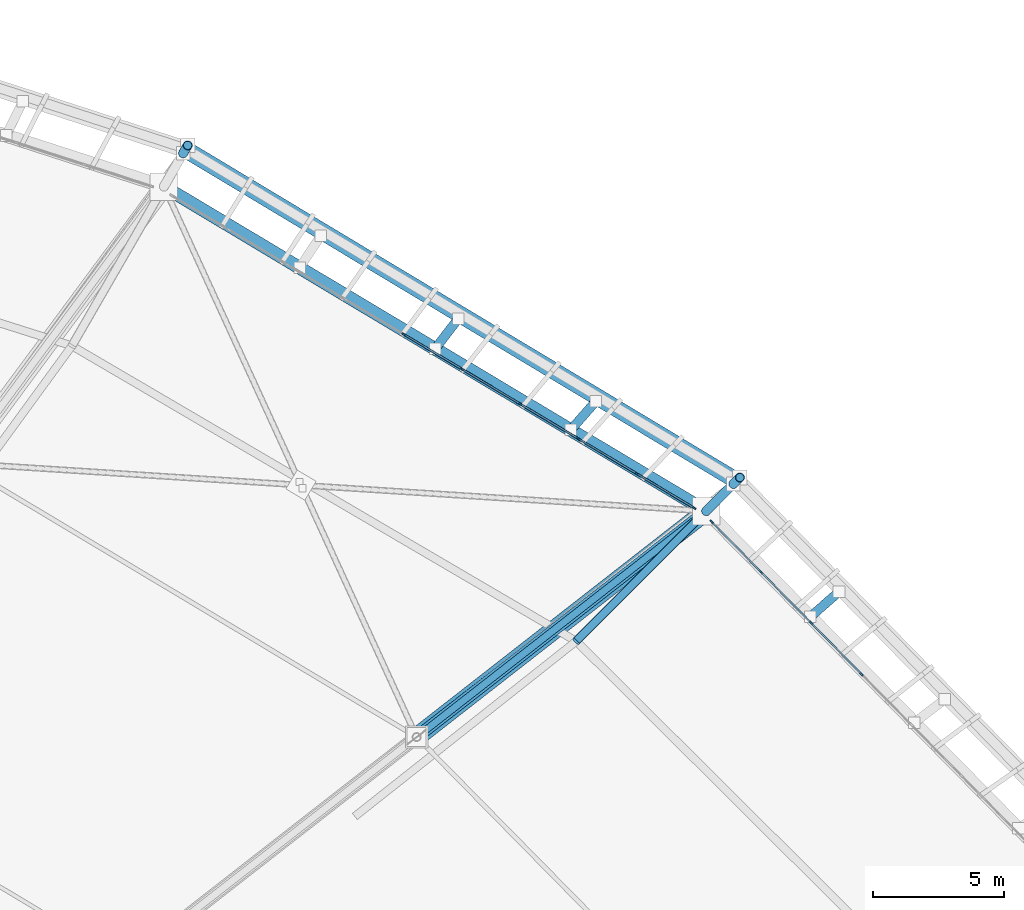
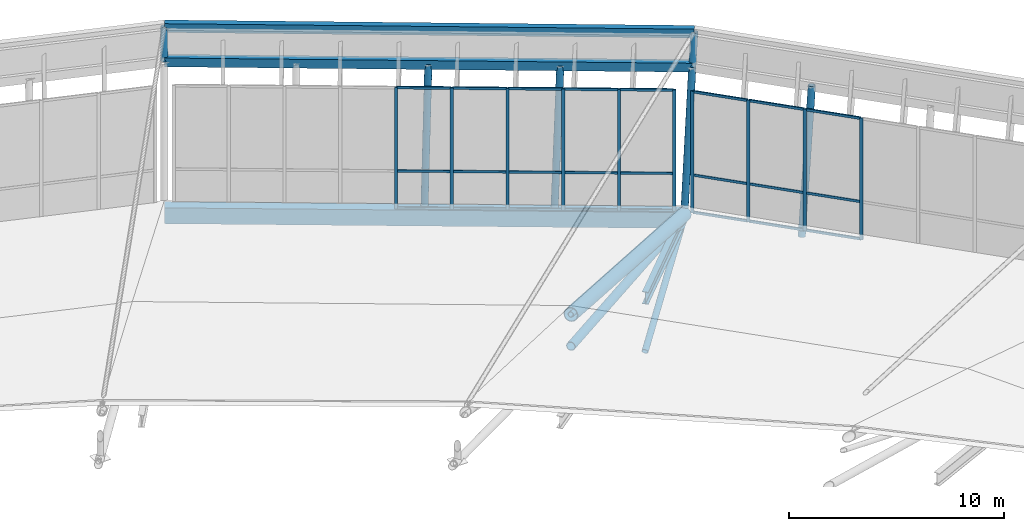
# One storey, part 77 of 115: 44 members, 4 beams, 2 elements without a shape of their own.
"""IFC4 building model written with IfcOpenShell, lengths in metres."""

from ifc_helpers import new_model, si_unit, direction, frame, origin, origin_2d, place, context, subcontext, project, spatial, rectangle, hollow_rectangle, hollow_circle, i_section, extrude, material, material_profile, profile_set, type_object, element, aggregate, save


model = new_model("IFC4")

# Units and contexts
model_context = context("Model", 3, precision=1e-05, world=origin(), true_north=direction((0.0, 1.0)))
body_context = subcontext(model_context, "Body", "Model", "MODEL_VIEW")
ifc_project = project(units=[si_unit("LENGTHUNIT", "METRE"), si_unit("AREAUNIT", "SQUARE_METRE"), si_unit("VOLUMEUNIT", "CUBIC_METRE"), si_unit("PLANEANGLEUNIT", "RADIAN"), si_unit("MASSUNIT", "GRAM", prefix="KILO")], contexts=[model_context])

# Site, building, storey
site_placement = place(None, origin())
site = spatial("IfcSite", under=ifc_project, at=site_placement, CompositionType="ELEMENT")
building_placement = place(site_placement, origin())
building = spatial("IfcBuilding", under=site, at=building_placement, Name="Zlatoyarsky Gate Stadium", CompositionType="ELEMENT")
storey_placement = place(building_placement, frame((0.0, 0.0, 31.800048828125)))
storey = spatial("IfcBuildingStorey", under=building, at=storey_placement, Name="RF", CompositionType="ELEMENT", Elevation=31.800048828125)

# Curtain wall, members
ifc_material_1 = material(Name="Thermally broken anodised aluminium curtain wall", Category="aluminium")
curtain_wall_type = type_object("IfcCurtainWallType", Name="UNITISED SKYBOX RING GLAZING L05", PredefinedType="USERDEFINED", material=ifc_material_1)
curtain_wall_1_placement = place(storey_placement, origin())
curtain_wall_1 = element("IfcCurtainWall", 1, at=curtain_wall_1_placement, inside=storey, type_object=curtain_wall_type, Name="Curtain wall CW-RF-02", ObjectType="UNITISED GLAZING", PredefinedType="USERDEFINED")
ifc_material_2 = material(Name="Anodised aluminium 6063-T6", Category="aluminium")
ifc_material_profile_1 = material_profile(ifc_material_2, rectangle(XDim=0.06494140625, YDim=0.159912109375, at=origin_2d()), Name="ALU 65X160")
ifc_profile_set_1 = profile_set([ifc_material_profile_1], Name="Anodised aluminium 6063-T6")
member_type_1 = type_object("IfcMemberType", Name="ALUMINIUM MULLION 65X160", PredefinedType="MULLION", material=ifc_profile_set_1)
member_1_placement = place(storey_placement, frame((187.654052734375, 128.954345703125, 0.0), z_axis=(0.0, 0.0, 1.0), x_axis=(-0.712766053473, -0.701401848456, 0.0)))
member_1 = element("IfcMember", 2, at=member_1_placement, type_object=member_type_1, Name="CW-UG5 mullion 6", PredefinedType="MULLION", context=body_context, shape_type="SweptSolid", body=[
    extrude(rectangle(XDim=0.06494140625, YDim=0.159912109375, at=origin_2d()), origin(), (0.0, 0.0, 1.0), 6.89990234375),
])
member_2_placement = place(storey_placement, frame((185.739990234375, 130.899658203125, 0.0), z_axis=(0.0, 0.0, 1.0), x_axis=(-0.712766053473, -0.701401848456, 0.0)))
member_2 = element("IfcMember", 3, at=member_2_placement, type_object=member_type_1, Name="CW-UG5 mullion 7", PredefinedType="MULLION", context=body_context, shape_type="SweptSolid", body=[
    extrude(rectangle(XDim=0.06494140625, YDim=0.159912109375, at=origin_2d()), origin(), (0.0, 0.0, 1.0), 6.89990234375),
])
member_3_placement = place(storey_placement, frame((183.825927734375, 132.8447265625, 0.0), z_axis=(0.0, 0.0, 1.0), x_axis=(-0.712766053473, -0.701401848456, 0.0)))
member_3 = element("IfcMember", 4, at=member_3_placement, type_object=member_type_1, Name="CW-UG5 mullion 8", PredefinedType="MULLION", context=body_context, shape_type="SweptSolid", body=[
    extrude(rectangle(XDim=0.06494140625, YDim=0.159912109375, at=origin_2d()), origin(), (0.0, 0.0, 1.0), 6.89990234375),
])
member_4_placement = place(storey_placement, frame((181.9345703125, 134.7666015625, 0.0), z_axis=(0.0, 0.0, 1.0), x_axis=(-0.712766053473, -0.701401848456, 0.0)))
member_4 = element("IfcMember", 5, at=member_4_placement, type_object=member_type_1, Name="CW-UG5 mullion 9", PredefinedType="MULLION", context=body_context, shape_type="SweptSolid", body=[
    extrude(rectangle(XDim=0.06494140625, YDim=0.159912109375, at=origin_2d()), origin(), (0.0, 0.0, 1.0), 6.89990234375),
])

curtain_wall_2_placement = place(storey_placement, origin())
curtain_wall_2 = element("IfcCurtainWall", 6, at=curtain_wall_2_placement, inside=storey, type_object=curtain_wall_type, Name="Curtain wall CW-RF-03", ObjectType="UNITISED GLAZING", PredefinedType="USERDEFINED")
member_5_placement = place(storey_placement, frame((181.260009765625, 135.296875, 0.0), z_axis=(0.0, 0.0, 1.0), x_axis=(-0.513435995817, -0.858127891517, 0.0)))
member_5 = element("IfcMember", 7, at=member_5_placement, type_object=member_type_1, Name="CW-UG5 mullion 1", PredefinedType="MULLION", context=body_context, shape_type="SweptSolid", body=[
    extrude(rectangle(XDim=0.06494140625, YDim=0.159912109375, at=origin_2d()), origin(), (0.0, 0.0, 1.0), 6.89990234375),
])
member_6_placement = place(storey_placement, frame((179.065673828125, 136.60986328125, 0.0), z_axis=(0.0, 0.0, 1.0), x_axis=(-0.513435995817, -0.858127891517, 0.0)))
member_6 = element("IfcMember", 8, at=member_6_placement, type_object=member_type_1, Name="CW-UG5 mullion 2", PredefinedType="MULLION", context=body_context, shape_type="SweptSolid", body=[
    extrude(rectangle(XDim=0.06494140625, YDim=0.159912109375, at=origin_2d()), origin(), (0.0, 0.0, 1.0), 6.89990234375),
])
member_7_placement = place(storey_placement, frame((176.84326171875, 137.939697265625, 0.0), z_axis=(0.0, 0.0, 1.0), x_axis=(-0.513435995817, -0.858127891517, 0.0)))
member_7 = element("IfcMember", 9, at=member_7_placement, type_object=member_type_1, Name="CW-UG5 mullion 3", PredefinedType="MULLION", context=body_context, shape_type="SweptSolid", body=[
    extrude(rectangle(XDim=0.06494140625, YDim=0.159912109375, at=origin_2d()), origin(), (0.0, 0.0, 1.0), 6.89990234375),
])
member_8_placement = place(storey_placement, frame((174.620849609375, 139.269287109375, 0.0), z_axis=(0.0, 0.0, 1.0), x_axis=(-0.513435995817, -0.858127891517, 0.0)))
member_8 = element("IfcMember", 10, at=member_8_placement, type_object=member_type_1, Name="CW-UG5 mullion 4", PredefinedType="MULLION", context=body_context, shape_type="SweptSolid", body=[
    extrude(rectangle(XDim=0.06494140625, YDim=0.159912109375, at=origin_2d()), origin(), (0.0, 0.0, 1.0), 6.89990234375),
])
member_9_placement = place(storey_placement, frame((172.398681640625, 140.598876953125, 0.0), z_axis=(0.0, 0.0, 1.0), x_axis=(-0.513435995817, -0.858127891517, 0.0)))
member_9 = element("IfcMember", 11, at=member_9_placement, type_object=member_type_1, Name="CW-UG5 mullion 5", PredefinedType="MULLION", context=body_context, shape_type="SweptSolid", body=[
    extrude(rectangle(XDim=0.06494140625, YDim=0.159912109375, at=origin_2d()), origin(), (0.0, 0.0, 1.0), 6.89990234375),
])
member_10_placement = place(storey_placement, frame((170.17626953125, 141.928466796875, 0.0), z_axis=(0.0, 0.0, 1.0), x_axis=(-0.513435995817, -0.858127891517, 0.0)))
member_10 = element("IfcMember", 12, at=member_10_placement, type_object=member_type_1, Name="CW-UG5 mullion 6", PredefinedType="MULLION", context=body_context, shape_type="SweptSolid", body=[
    extrude(rectangle(XDim=0.06494140625, YDim=0.159912109375, at=origin_2d()), origin(), (0.0, 0.0, 1.0), 6.89990234375),
])

# Member
ifc_material_profile_2 = material_profile(ifc_material_2, rectangle(XDim=0.06494140625, YDim=0.139892578125, at=origin_2d()), Name="ALU 65X140")
ifc_profile_set_2 = profile_set([ifc_material_profile_2], Name="Anodised aluminium 6063-T6")
member_type_2 = type_object("IfcMemberType", Name="ALUMINIUM TRANSOM 65X140", PredefinedType="USERDEFINED", material=ifc_profile_set_2)
member_11_placement = place(storey_placement, frame((187.63134765625, 128.9775390625, 0.032470703125), z_axis=(-0.701402357666, 0.712765552381, 0.0), x_axis=(-0.712765552381, -0.701402357666, 0.0)))
member_11 = element("IfcMember", 13, at=member_11_placement, type_object=member_type_2, Name="CW-UG5 transom 6.1", ObjectType="TRANSOM", PredefinedType="USERDEFINED", context=body_context, shape_type="SweptSolid", body=[
    extrude(rectangle(XDim=0.06494140625, YDim=0.139892578125, at=origin_2d()), origin(), (0.0, 0.0, 1.0), 2.6640625),
])

member_12_placement = place(storey_placement, frame((187.63134765625, 128.9775390625, 2.14990234375), z_axis=(-0.701402357666, 0.712765552381, 0.0), x_axis=(-0.712765552381, -0.701402357666, 0.0)))
member_12 = element("IfcMember", 14, at=member_12_placement, type_object=member_type_2, Name="CW-UG5 transom 6.2", ObjectType="TRANSOM", PredefinedType="USERDEFINED", context=body_context, shape_type="SweptSolid", body=[
    extrude(rectangle(XDim=0.06494140625, YDim=0.139892578125, at=origin_2d()), origin(), (0.0, 0.0, 1.0), 2.6640625),
])

member_13_placement = place(storey_placement, frame((187.63134765625, 128.9775390625, 6.867431640625), z_axis=(-0.701402357666, 0.712765552381, 0.0), x_axis=(-0.712765552381, -0.701402357666, 0.0)))
member_13 = element("IfcMember", 15, at=member_13_placement, type_object=member_type_2, Name="CW-UG5 transom 6.3", ObjectType="TRANSOM", PredefinedType="USERDEFINED", context=body_context, shape_type="SweptSolid", body=[
    extrude(rectangle(XDim=0.06494140625, YDim=0.139892578125, at=origin_2d()), origin(), (0.0, 0.0, 1.0), 2.6640625),
])

member_14_placement = place(storey_placement, frame((185.71728515625, 130.9228515625, 0.032470703125), z_axis=(-0.701448172626, 0.712720464922, 0.0), x_axis=(-0.712720464922, -0.701448172626, 0.0)))
member_14 = element("IfcMember", 16, at=member_14_placement, type_object=member_type_2, Name="CW-UG5 transom 7.1", ObjectType="TRANSOM", PredefinedType="USERDEFINED", context=body_context, shape_type="SweptSolid", body=[
    extrude(rectangle(XDim=0.06494140625, YDim=0.139892578125, at=origin_2d()), origin(), (0.0, 0.0, 1.0), 2.6640625),
])

member_15_placement = place(storey_placement, frame((185.71728515625, 130.9228515625, 2.14990234375), z_axis=(-0.701448172626, 0.712720464922, 0.0), x_axis=(-0.712720464922, -0.701448172626, 0.0)))
member_15 = element("IfcMember", 17, at=member_15_placement, type_object=member_type_2, Name="CW-UG5 transom 7.2", ObjectType="TRANSOM", PredefinedType="USERDEFINED", context=body_context, shape_type="SweptSolid", body=[
    extrude(rectangle(XDim=0.06494140625, YDim=0.139892578125, at=origin_2d()), origin(), (0.0, 0.0, 1.0), 2.6640625),
])

member_16_placement = place(storey_placement, frame((185.71728515625, 130.9228515625, 6.867431640625), z_axis=(-0.701448172626, 0.712720464922, 0.0), x_axis=(-0.712720464922, -0.701448172626, 0.0)))
member_16 = element("IfcMember", 18, at=member_16_placement, type_object=member_type_2, Name="CW-UG5 transom 7.3", ObjectType="TRANSOM", PredefinedType="USERDEFINED", context=body_context, shape_type="SweptSolid", body=[
    extrude(rectangle(XDim=0.06494140625, YDim=0.139892578125, at=origin_2d()), origin(), (0.0, 0.0, 1.0), 2.6640625),
])

member_17_placement = place(storey_placement, frame((183.80322265625, 132.867919921875, 0.032470703125), z_axis=(-0.701471617556, 0.712697390036, 0.0), x_axis=(-0.712697390036, -0.701471617556, 0.0)))
member_17 = element("IfcMember", 19, at=member_17_placement, type_object=member_type_2, Name="CW-UG5 transom 8.1", ObjectType="TRANSOM", PredefinedType="USERDEFINED", context=body_context, shape_type="SweptSolid", body=[
    extrude(rectangle(XDim=0.06494140625, YDim=0.139892578125, at=origin_2d()), origin(), (0.0, 0.0, 1.0), 2.631591796875),
])

member_18_placement = place(storey_placement, frame((183.80322265625, 132.867919921875, 2.14990234375), z_axis=(-0.701471617556, 0.712697390036, 0.0), x_axis=(-0.712697390036, -0.701471617556, 0.0)))
member_18 = element("IfcMember", 20, at=member_18_placement, type_object=member_type_2, Name="CW-UG5 transom 8.2", ObjectType="TRANSOM", PredefinedType="USERDEFINED", context=body_context, shape_type="SweptSolid", body=[
    extrude(rectangle(XDim=0.06494140625, YDim=0.139892578125, at=origin_2d()), origin(), (0.0, 0.0, 1.0), 2.631591796875),
])

member_19_placement = place(storey_placement, frame((183.80322265625, 132.867919921875, 6.867431640625), z_axis=(-0.701471617556, 0.712697390036, 0.0), x_axis=(-0.712697390036, -0.701471617556, 0.0)))
member_19 = element("IfcMember", 21, at=member_19_placement, type_object=member_type_2, Name="CW-UG5 transom 8.3", ObjectType="TRANSOM", PredefinedType="USERDEFINED", context=body_context, shape_type="SweptSolid", body=[
    extrude(rectangle(XDim=0.06494140625, YDim=0.139892578125, at=origin_2d()), origin(), (0.0, 0.0, 1.0), 2.631591796875),
])

aggregate(curtain_wall_1, [member_1, member_2, member_3, member_4, member_11, member_12, member_13, member_14, member_15, member_16, member_17, member_18, member_19])

member_20_placement = place(storey_placement, frame((181.232177734375, 135.313720703125, 0.032470703125), z_axis=(-0.858140517971, 0.513414892087, 0.0), x_axis=(-0.513414892087, -0.858140517971, 0.0)))
member_20 = element("IfcMember", 22, at=member_20_placement, type_object=member_type_2, Name="CW-UG5 transom 1.1", ObjectType="TRANSOM", PredefinedType="USERDEFINED", context=body_context, shape_type="SweptSolid", body=[
    extrude(rectangle(XDim=0.06494140625, YDim=0.139892578125, at=origin_2d()), origin(), (0.0, 0.0, 1.0), 2.4921875),
])

member_21_placement = place(storey_placement, frame((181.232177734375, 135.313720703125, 2.14990234375), z_axis=(-0.858140517971, 0.513414892087, 0.0), x_axis=(-0.513414892087, -0.858140517971, 0.0)))
member_21 = element("IfcMember", 23, at=member_21_placement, type_object=member_type_2, Name="CW-UG5 transom 1.2", ObjectType="TRANSOM", PredefinedType="USERDEFINED", context=body_context, shape_type="SweptSolid", body=[
    extrude(rectangle(XDim=0.06494140625, YDim=0.139892578125, at=origin_2d()), origin(), (0.0, 0.0, 1.0), 2.4921875),
])

member_22_placement = place(storey_placement, frame((181.232177734375, 135.313720703125, 6.867431640625), z_axis=(-0.858140517971, 0.513414892087, 0.0), x_axis=(-0.513414892087, -0.858140517971, 0.0)))
member_22 = element("IfcMember", 24, at=member_22_placement, type_object=member_type_2, Name="CW-UG5 transom 1.3", ObjectType="TRANSOM", PredefinedType="USERDEFINED", context=body_context, shape_type="SweptSolid", body=[
    extrude(rectangle(XDim=0.06494140625, YDim=0.139892578125, at=origin_2d()), origin(), (0.0, 0.0, 1.0), 2.4921875),
])

member_23_placement = place(storey_placement, frame((179.03759765625, 136.626708984375, 0.032470703125), z_axis=(-0.858149243312, 0.51340030795, 0.0), x_axis=(-0.51340030795, -0.858149243312, 0.0)))
member_23 = element("IfcMember", 25, at=member_23_placement, type_object=member_type_2, Name="CW-UG5 transom 2.1", ObjectType="TRANSOM", PredefinedType="USERDEFINED", context=body_context, shape_type="SweptSolid", body=[
    extrude(rectangle(XDim=0.06494140625, YDim=0.139892578125, at=origin_2d()), origin(), (0.0, 0.0, 1.0), 2.524658203125),
])

member_24_placement = place(storey_placement, frame((179.03759765625, 136.626708984375, 2.14990234375), z_axis=(-0.858149243312, 0.51340030795, 0.0), x_axis=(-0.51340030795, -0.858149243312, 0.0)))
member_24 = element("IfcMember", 26, at=member_24_placement, type_object=member_type_2, Name="CW-UG5 transom 2.2", ObjectType="TRANSOM", PredefinedType="USERDEFINED", context=body_context, shape_type="SweptSolid", body=[
    extrude(rectangle(XDim=0.06494140625, YDim=0.139892578125, at=origin_2d()), origin(), (0.0, 0.0, 1.0), 2.524658203125),
])

member_25_placement = place(storey_placement, frame((179.03759765625, 136.626708984375, 6.867431640625), z_axis=(-0.858149243312, 0.51340030795, 0.0), x_axis=(-0.51340030795, -0.858149243312, 0.0)))
member_25 = element("IfcMember", 27, at=member_25_placement, type_object=member_type_2, Name="CW-UG5 transom 2.3", ObjectType="TRANSOM", PredefinedType="USERDEFINED", context=body_context, shape_type="SweptSolid", body=[
    extrude(rectangle(XDim=0.06494140625, YDim=0.139892578125, at=origin_2d()), origin(), (0.0, 0.0, 1.0), 2.524658203125),
])

member_26_placement = place(storey_placement, frame((176.8154296875, 137.956298828125, 0.032470703125), z_axis=(-0.858106637298, 0.513471517248, 0.0), x_axis=(-0.513471517248, -0.858106637298, 0.0)))
member_26 = element("IfcMember", 28, at=member_26_placement, type_object=member_type_2, Name="CW-UG5 transom 3.1", ObjectType="TRANSOM", PredefinedType="USERDEFINED", context=body_context, shape_type="SweptSolid", body=[
    extrude(rectangle(XDim=0.06494140625, YDim=0.139892578125, at=origin_2d()), origin(), (0.0, 0.0, 1.0), 2.524658203125),
])

member_27_placement = place(storey_placement, frame((176.8154296875, 137.956298828125, 2.14990234375), z_axis=(-0.858106637298, 0.513471517248, 0.0), x_axis=(-0.513471517248, -0.858106637298, 0.0)))
member_27 = element("IfcMember", 29, at=member_27_placement, type_object=member_type_2, Name="CW-UG5 transom 3.2", ObjectType="TRANSOM", PredefinedType="USERDEFINED", context=body_context, shape_type="SweptSolid", body=[
    extrude(rectangle(XDim=0.06494140625, YDim=0.139892578125, at=origin_2d()), origin(), (0.0, 0.0, 1.0), 2.524658203125),
])

member_28_placement = place(storey_placement, frame((176.8154296875, 137.956298828125, 6.867431640625), z_axis=(-0.858106637298, 0.513471517248, 0.0), x_axis=(-0.513471517248, -0.858106637298, 0.0)))
member_28 = element("IfcMember", 30, at=member_28_placement, type_object=member_type_2, Name="CW-UG5 transom 3.3", ObjectType="TRANSOM", PredefinedType="USERDEFINED", context=body_context, shape_type="SweptSolid", body=[
    extrude(rectangle(XDim=0.06494140625, YDim=0.139892578125, at=origin_2d()), origin(), (0.0, 0.0, 1.0), 2.524658203125),
])

member_29_placement = place(storey_placement, frame((174.593017578125, 139.285888671875, 0.032470703125), z_axis=(-0.858106637298, 0.513471517248, 0.0), x_axis=(-0.513471517248, -0.858106637298, 0.0)))
member_29 = element("IfcMember", 31, at=member_29_placement, type_object=member_type_2, Name="CW-UG5 transom 4.1", ObjectType="TRANSOM", PredefinedType="USERDEFINED", context=body_context, shape_type="SweptSolid", body=[
    extrude(rectangle(XDim=0.06494140625, YDim=0.139892578125, at=origin_2d()), origin(), (0.0, 0.0, 1.0), 2.524658203125),
])

member_30_placement = place(storey_placement, frame((174.593017578125, 139.285888671875, 2.14990234375), z_axis=(-0.858106637298, 0.513471517248, 0.0), x_axis=(-0.513471517248, -0.858106637298, 0.0)))
member_30 = element("IfcMember", 32, at=member_30_placement, type_object=member_type_2, Name="CW-UG5 transom 4.2", ObjectType="TRANSOM", PredefinedType="USERDEFINED", context=body_context, shape_type="SweptSolid", body=[
    extrude(rectangle(XDim=0.06494140625, YDim=0.139892578125, at=origin_2d()), origin(), (0.0, 0.0, 1.0), 2.524658203125),
])

member_31_placement = place(storey_placement, frame((174.593017578125, 139.285888671875, 6.867431640625), z_axis=(-0.858106637298, 0.513471517248, 0.0), x_axis=(-0.513471517248, -0.858106637298, 0.0)))
member_31 = element("IfcMember", 33, at=member_31_placement, type_object=member_type_2, Name="CW-UG5 transom 4.3", ObjectType="TRANSOM", PredefinedType="USERDEFINED", context=body_context, shape_type="SweptSolid", body=[
    extrude(rectangle(XDim=0.06494140625, YDim=0.139892578125, at=origin_2d()), origin(), (0.0, 0.0, 1.0), 2.524658203125),
])

member_32_placement = place(storey_placement, frame((172.370849609375, 140.61572265625, 0.032470703125), z_axis=(-0.858149243312, 0.51340030795, 0.0), x_axis=(-0.51340030795, -0.858149243312, 0.0)))
member_32 = element("IfcMember", 34, at=member_32_placement, type_object=member_type_2, Name="CW-UG5 transom 5.1", ObjectType="TRANSOM", PredefinedType="USERDEFINED", context=body_context, shape_type="SweptSolid", body=[
    extrude(rectangle(XDim=0.06494140625, YDim=0.139892578125, at=origin_2d()), origin(), (0.0, 0.0, 1.0), 2.524658203125),
])

member_33_placement = place(storey_placement, frame((172.370849609375, 140.61572265625, 2.14990234375), z_axis=(-0.858149243312, 0.51340030795, 0.0), x_axis=(-0.51340030795, -0.858149243312, 0.0)))
member_33 = element("IfcMember", 35, at=member_33_placement, type_object=member_type_2, Name="CW-UG5 transom 5.2", ObjectType="TRANSOM", PredefinedType="USERDEFINED", context=body_context, shape_type="SweptSolid", body=[
    extrude(rectangle(XDim=0.06494140625, YDim=0.139892578125, at=origin_2d()), origin(), (0.0, 0.0, 1.0), 2.524658203125),
])

member_34_placement = place(storey_placement, frame((172.370849609375, 140.61572265625, 6.867431640625), z_axis=(-0.858149243312, 0.51340030795, 0.0), x_axis=(-0.51340030795, -0.858149243312, 0.0)))
member_34 = element("IfcMember", 36, at=member_34_placement, type_object=member_type_2, Name="CW-UG5 transom 5.3", ObjectType="TRANSOM", PredefinedType="USERDEFINED", context=body_context, shape_type="SweptSolid", body=[
    extrude(rectangle(XDim=0.06494140625, YDim=0.139892578125, at=origin_2d()), origin(), (0.0, 0.0, 1.0), 2.524658203125),
])

aggregate(curtain_wall_2, [member_5, member_6, member_7, member_8, member_9, member_10, member_20, member_21, member_22, member_23, member_24, member_25, member_26, member_27, member_28, member_29, member_30, member_31, member_32, member_33, member_34])

# Members
ifc_material_3 = material(Name="Steel S355", Category="steel")
ifc_material_profile_3 = material_profile(ifc_material_3, hollow_circle(Radius=0.228515625, WallThickness=0.02490234375, at=origin_2d()), Name="CHS 457X25")
ifc_profile_set_3 = profile_set([ifc_material_profile_3], Name="Steel S355")
member_type_3 = type_object("IfcMemberType", Name="STEEL ARCH BOTTOM CHORD CHS 457X25", PredefinedType="CHORD", material=ifc_profile_set_3)
member_35_placement = place(storey_placement, frame((181.730224609375, 135.173828125, -0.449951171875), z_axis=(-0.782072913981, -0.610058642375, 0.127241542272), x_axis=(0.61505798075, -0.788481883315, 0.0)))
element("IfcMember", 37, at=member_35_placement, inside=storey, type_object=member_type_3, Name="Radial truss R04 bottom chord 1", PredefinedType="CHORD", context=body_context, shape_type="SweptSolid", body=[
    extrude(hollow_circle(Radius=0.228515625, WallThickness=0.02490234375, at=origin_2d()), origin(), (0.0, 0.0, 1.0), 14.144775390625),
])
ifc_material_profile_4 = material_profile(ifc_material_3, hollow_circle(Radius=0.35546875, WallThickness=0.031982421875, at=origin_2d()), Name="CHS 711X32")
ifc_profile_set_4 = profile_set([ifc_material_profile_4], Name="Steel S355")
member_type_4 = type_object("IfcMemberType", Name="STEEL ARCH TOP CHORD CHS 711X32", PredefinedType="CHORD", material=ifc_profile_set_4)
member_36_placement = place(storey_placement, frame((181.730224609375, 135.173828125, -0.25), z_axis=(-0.76630202169, -0.597756504086, 0.235517246453), x_axis=(0.61505798075, -0.788481883315, 0.0)))
element("IfcMember", 38, at=member_36_placement, inside=storey, type_object=member_type_4, Name="Radial truss R04 top chord 1", PredefinedType="CHORD", context=body_context, shape_type="SweptSolid", body=[
    extrude(hollow_circle(Radius=0.35546875, WallThickness=0.031982421875, at=origin_2d()), origin(), (0.0, 0.0, 1.0), 14.435791015625),
])
ifc_material_profile_5 = material_profile(ifc_material_3, hollow_circle(Radius=0.177734375, WallThickness=0.02001953125, at=origin_2d()), Name="CHS 355.6X20")
ifc_profile_set_5 = profile_set([ifc_material_profile_5], Name="Steel S355")
member_type_5 = type_object("IfcMemberType", Name="STEEL LEANING RIB RING STRUT CHS 355.6X20", PredefinedType="STRUT", material=ifc_profile_set_5)
member_37_placement = place(storey_placement, frame((185.704345703125, 131.1337890625, -0.449951171875), z_axis=(0.141622971852, 0.124302630674, 0.982085428999), x_axis=(-0.65965358824, 0.751569786195, 0.0)))
element("IfcMember", 39, at=member_37_placement, inside=storey, type_object=member_type_5, Name="Outward-leaning bowl louvre fin rib RF 02-3", PredefinedType="STRUT", context=body_context, shape_type="SweptSolid", body=[
    extrude(hollow_circle(Radius=0.177734375, WallThickness=0.02001953125, at=origin_2d()), origin(), (0.0, 0.0, 1.0), 7.738525390625),
])
member_38_placement = place(storey_placement, frame((181.730224609375, 135.173828125, -0.449951171875), z_axis=(0.134083158373, 0.134083158373, 0.981857124678), x_axis=(-0.707106781187, 0.707106781187, 0.0)))
element("IfcMember", 40, at=member_38_placement, inside=storey, type_object=member_type_5, Name="Outward-leaning crown fascia lower post 03", PredefinedType="STRUT", context=body_context, shape_type="SweptSolid", body=[
    extrude(hollow_circle(Radius=0.177734375, WallThickness=0.02001953125, at=origin_2d()), origin(), (0.0, 0.0, 1.0), 7.740234375),
])
member_39_placement = place(storey_placement, frame((182.76806640625, 136.211669921875, 7.14990234375), z_axis=(0.142090707593, 0.142231391462, 0.979581779178), x_axis=(-0.707456574237, 0.706756815014, 0.0)))
element("IfcMember", 41, at=member_39_placement, inside=storey, type_object=member_type_5, Name="Outward-leaning crown fascia upper post 03", PredefinedType="STRUT", context=body_context, shape_type="SweptSolid", body=[
    extrude(hollow_circle(Radius=0.177734375, WallThickness=0.02001953125, at=origin_2d()), origin(), (0.0, 0.0, 1.0), 1.7353515625),
])
member_40_placement = place(storey_placement, frame((176.551025390625, 138.27392578125, -0.449951171875), z_axis=(0.124302075226, 0.141653887757, 0.982081040535), x_axis=(-0.751642626138, 0.659570589529, 0.0)))
element("IfcMember", 42, at=member_40_placement, inside=storey, type_object=member_type_5, Name="Outward-leaning bowl louvre fin rib RF 03-1", PredefinedType="STRUT", context=body_context, shape_type="SweptSolid", body=[
    extrude(hollow_circle(Radius=0.177734375, WallThickness=0.02001953125, at=origin_2d()), origin(), (0.0, 0.0, 1.0), 7.738525390625),
])
member_41_placement = place(storey_placement, frame((171.3720703125, 141.373779296875, -0.449951171875), z_axis=(0.114467859113, 0.149205762334, 0.982158210125), x_axis=(-0.793409192517, 0.608688634056, 0.0)))
element("IfcMember", 43, at=member_41_placement, inside=storey, type_object=member_type_5, Name="Outward-leaning bowl louvre fin rib RF 03-2", PredefinedType="STRUT", context=body_context, shape_type="SweptSolid", body=[
    extrude(hollow_circle(Radius=0.177734375, WallThickness=0.02001953125, at=origin_2d()), origin(), (0.0, 0.0, 1.0), 7.73779296875),
])
member_42_placement = place(storey_placement, frame((161.747802734375, 148.844970703125, 7.14990234375), z_axis=(0.100448064705, 0.174166252247, 0.979579656218), x_axis=(-0.866255472086, 0.499601298118, 0.0)))
element("IfcMember", 44, at=member_42_placement, inside=storey, type_object=member_type_5, Name="Outward-leaning crown fascia upper post 04", PredefinedType="STRUT", context=body_context, shape_type="SweptSolid", body=[
    extrude(hollow_circle(Radius=0.177734375, WallThickness=0.02001953125, at=origin_2d()), origin(), (0.0, 0.0, 1.0), 1.7353515625),
])

# Beams
ifc_material_profile_6 = material_profile(ifc_material_3, hollow_rectangle(XDim=0.300048828125, YDim=0.5, WallThickness=0.02001953125, at=origin_2d()), Name="RHS 500X300X20")
ifc_profile_set_6 = profile_set([ifc_material_profile_6], Name="Steel S355")
beam_type_1 = type_object("IfcBeamType", Name="STEEL LOUVRE CARRIER SPANDREL RHS 500X300X20", PredefinedType="SPANDREL", material=ifc_profile_set_6)
beam_1_placement = place(storey_placement, frame((182.76806640625, 136.211669921875, 7.14990234375), z_axis=(-0.857112353268, 0.51512951175, 0.0), x_axis=(-0.51512951175, -0.857112353268, 0.0)))
element("IfcBeam", 45, at=beam_1_placement, inside=storey, type_object=beam_type_1, Name="Crown eaves fascia bottom carrier spandrel 03", PredefinedType="SPANDREL", context=body_context, shape_type="SweptSolid", body=[
    extrude(hollow_rectangle(XDim=0.300048828125, YDim=0.5, WallThickness=0.02001953125, at=origin_2d()), origin(), (0.0, 0.0, 1.0), 24.5244140625),
])
beam_2_placement = place(storey_placement, frame((183.0146484375, 136.45849609375, 8.849853515625), z_axis=(-0.856897250125, 0.515487247882, 0.0), x_axis=(-0.515487247882, -0.856897250125, 0.0)))
element("IfcBeam", 46, at=beam_2_placement, inside=storey, type_object=beam_type_1, Name="Crown fascia top carrier spandrel 03", PredefinedType="SPANDREL", context=body_context, shape_type="SweptSolid", body=[
    extrude(hollow_rectangle(XDim=0.300048828125, YDim=0.5, WallThickness=0.02001953125, at=origin_2d()), origin(), (0.0, 0.0, 1.0), 24.614990234375),
])
ifc_material_profile_7 = material_profile(ifc_material_3, hollow_rectangle(XDim=0.5, YDim=0.89990234375, WallThickness=0.028076171875, at=origin_2d()), Name="RHS 900X500X28")
ifc_profile_set_7 = profile_set([ifc_material_profile_7], Name="Steel S355")
beam_type_2 = type_object("IfcBeamType", Name="STEEL OUTER COMPRESSION RING BEAM RHS 900X500X28", PredefinedType="USERDEFINED", material=ifc_profile_set_7)
beam_3_placement = place(storey_placement, frame((181.730224609375, 135.173828125, -0.449951171875), z_axis=(-0.85803403139, 0.513592835792, 0.0), x_axis=(-0.513592835792, -0.85803403139, 0.0)))
element("IfcBeam", 47, at=beam_3_placement, inside=storey, type_object=beam_type_2, Name="Outer compression ring beam 03", ObjectType="RING BEAM", PredefinedType="USERDEFINED", context=body_context, shape_type="SweptSolid", body=[
    extrude(hollow_rectangle(XDim=0.5, YDim=0.89990234375, WallThickness=0.028076171875, at=origin_2d()), origin(), (0.0, 0.0, 1.0), 24.14404296875),
])
ifc_material_profile_8 = material_profile(ifc_material_3, i_section(OverallWidth=0.300048828125, OverallDepth=0.699951171875, WebThickness=0.01708984375, FlangeThickness=0.031982421875, FilletRadius=0.027099609375, at=origin_2d()), Name="HEB 700")
ifc_profile_set_8 = profile_set([ifc_material_profile_8], Name="Steel S355")
beam_type_3 = type_object("IfcBeamType", Name="STEEL ROOF RING GIRDER HEB 700", PredefinedType="BEAM", material=ifc_profile_set_8)
beam_4_placement = place(storey_placement, frame((176.789306640625, 130.23291015625, -0.300048828125), z_axis=(0.707106781187, 0.707106781187, 0.0), x_axis=(-0.707106781187, 0.707106781187, 0.0)))
element("IfcBeam", 48, at=beam_4_placement, inside=storey, type_object=beam_type_3, Name="RF roof tie girder BM-RF-COUT-03", PredefinedType="BEAM", context=body_context, shape_type="SweptSolid", body=[
    extrude(i_section(OverallWidth=0.300048828125, OverallDepth=0.699951171875, WebThickness=0.01708984375, FlangeThickness=0.031982421875, FilletRadius=0.027099609375, at=origin_2d()), origin(), (0.0, 0.0, 1.0), 6.987548828125),
])

# Members
ifc_material_profile_9 = material_profile(ifc_material_3, hollow_circle(Radius=0.136474609375, WallThickness=0.01611328125, at=origin_2d()), Name="CHS 273X16")
ifc_profile_set_9 = profile_set([ifc_material_profile_9], Name="Steel S355")
member_type_6 = type_object("IfcMemberType", Name="STEEL ROOF TRUSS DIAGONAL CHS 273X16", PredefinedType="BRACE", material=ifc_profile_set_9)
member_43_placement = place(storey_placement, frame((181.730224609375, 135.173828125, -0.449951171875), z_axis=(-0.76374161775, -0.595759252265, 0.248535016965), x_axis=(0.61505798075, -0.788481883315, 0.0)))
element("IfcMember", 49, at=member_43_placement, inside=storey, type_object=member_type_6, Name="Radial truss R04 web diagonal 1", PredefinedType="BRACE", context=body_context, shape_type="SweptSolid", body=[
    extrude(hollow_circle(Radius=0.136474609375, WallThickness=0.01611328125, at=origin_2d()), origin(), (0.0, 0.0, 1.0), 14.484375),
])
ifc_material_profile_10 = material_profile(ifc_material_3, hollow_circle(Radius=0.161865234375, WallThickness=0.01611328125, at=origin_2d()), Name="CHS 323.9X16")
ifc_profile_set_10 = profile_set([ifc_material_profile_10], Name="Steel S355")
member_type_7 = type_object("IfcMemberType", Name="STEEL TRUSS WEB STRUT CHS 323.9X16", PredefinedType="STRUT", material=ifc_profile_set_10)
member_44_placement = place(storey_placement, frame((176.760986328125, 130.20458984375, -3.300048828125), z_axis=(0.655268385367, 0.655268385367, 0.375828000922), x_axis=(-0.707106781187, 0.707106781187, 0.0)))
element("IfcMember", 50, at=member_44_placement, inside=storey, type_object=member_type_7, Name="Arch heel prop 03", PredefinedType="STRUT", context=body_context, shape_type="SweptSolid", body=[
    extrude(hollow_circle(Radius=0.161865234375, WallThickness=0.01611328125, at=origin_2d()), origin(), (0.0, 0.0, 1.0), 7.58349609375),
])

save(model, "model.ifc")
